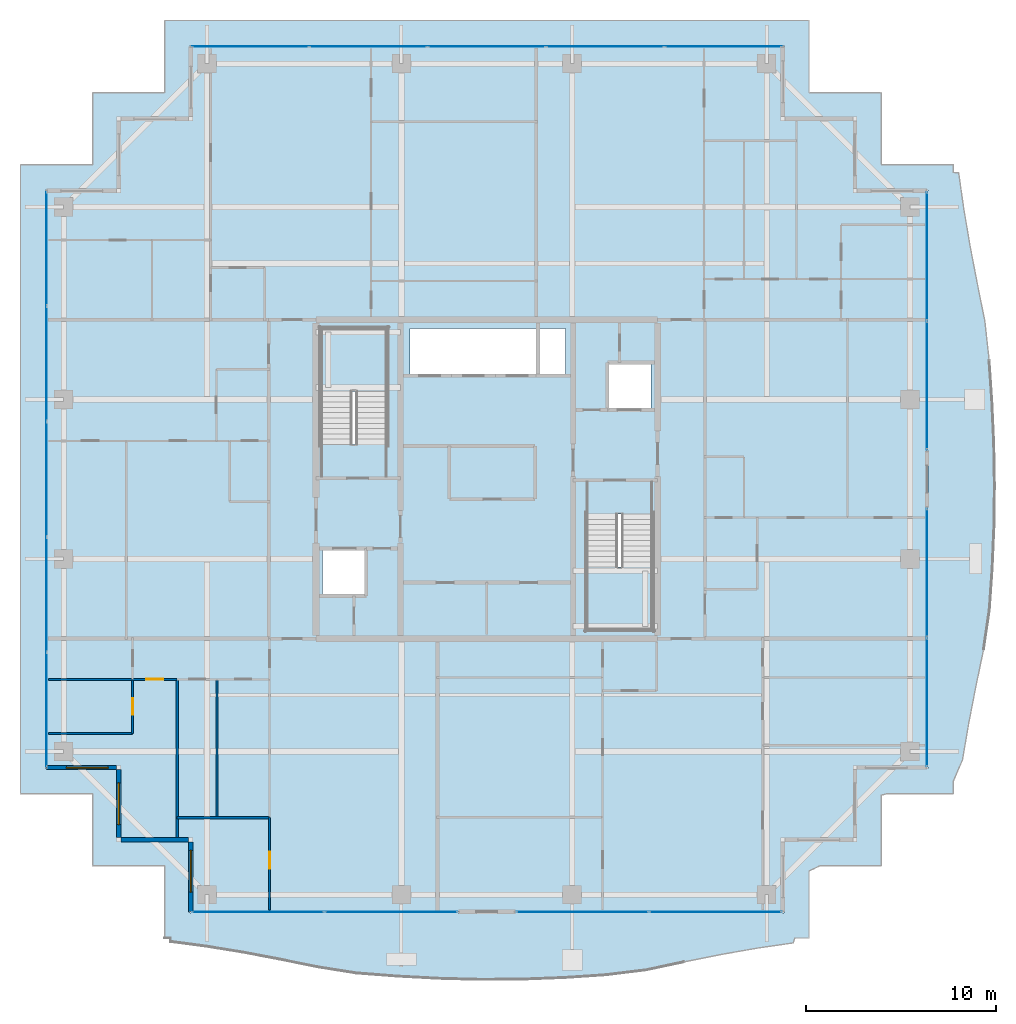
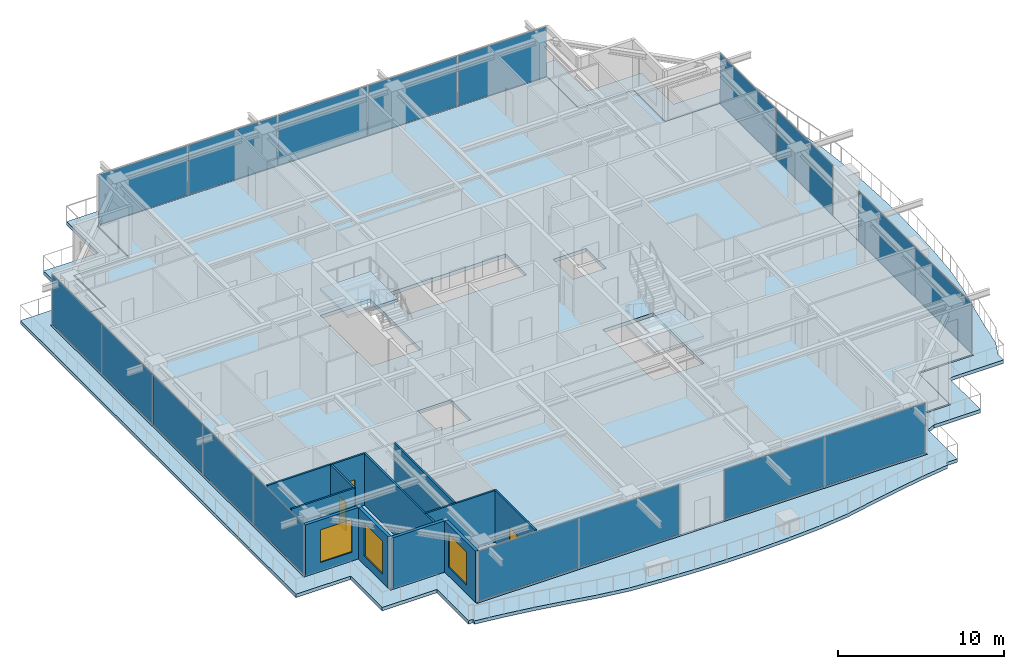
# One storey, part 30 of 42: 18 plates, 12 walls, 4 slabs, 3 doors, 3 windows, 6 openings, 8 elements without a shape of their own.
"""IFC4 building model written with IfcOpenShell, lengths in metres."""

from ifc_helpers import new_model, si_unit, direction, frame, frame_2d, origin, origin_2d, place, context, subcontext, project, spatial, polyline, rectangle, outline, extrude, source, transform, mapped, material, layer, layer_set, type_object, element, fill, aggregate, save


model = new_model("IFC4")

# Units and contexts
model_context = context("Model", 3, precision=1e-05, world=origin(), true_north=direction((0.0, 1.0)))
body_context = subcontext(model_context, "Body", "Model", "MODEL_VIEW")
ifc_project = project(units=[si_unit("LENGTHUNIT", "METRE"), si_unit("AREAUNIT", "SQUARE_METRE"), si_unit("VOLUMEUNIT", "CUBIC_METRE"), si_unit("PLANEANGLEUNIT", "RADIAN"), si_unit("MASSUNIT", "GRAM", prefix="KILO")], contexts=[model_context])

# Site, building, storey
site_placement = place(None, origin())
site = spatial("IfcSite", under=ifc_project, at=site_placement, CompositionType="ELEMENT")
building_placement = place(site_placement, origin())
building = spatial("IfcBuilding", under=site, at=building_placement, Name="Serunith Strait Residences", CompositionType="ELEMENT")
storey_placement = place(building_placement, frame((0.0, 0.0, 297.5)))
storey = spatial("IfcBuildingStorey", under=building, at=storey_placement, Name="L74", CompositionType="ELEMENT", Elevation=297.5)

# Slab
ifc_material_1 = material(Name="Concrete C50/60", Category="concrete")
ifc_layer_1 = layer(ifc_material_1, 0.239990234375, Name="Concrete C50/60")
ifc_layer_set_1 = layer_set([ifc_layer_1], Name="Concrete C50/60")
slab_type_1 = type_object("IfcSlabType", Name="SLB-BALC-240", PredefinedType="FLOOR", material=ifc_layer_set_1)
slab_1_placement = place(storey_placement, frame((0.0, 0.0, -0.2900390625)))
element("IfcSlab", 1, at=slab_1_placement, inside=storey, type_object=slab_type_1, Name="L74 Planted Vertical-Forest Balcony Slab", PredefinedType="FLOOR", context=body_context, shape_type="SweptSolid", body=[
    extrude(outline(polyline([(15.419921875, 1.02001953125), (15.419921875, 4.820068359375), (11.6201171875, 4.820068359375), (11.6201171875, 8.6201171875), (7.820068359375, 8.6201171875), (7.820068359375, 41.780029296875), (11.6201171875, 41.780029296875), (11.6201171875, 45.580078125), (15.407470703125, 45.580078125), (15.419921875, 45.584716796875), (15.419921875, 49.3798828125), (49.3798828125, 49.3798828125), (49.3798828125, 45.580078125), (53.179931640625, 45.580078125), (53.179931640625, 41.921142578125), (53.201171875, 41.780029296875), (56.97998046875, 41.780029296875), (56.97998046875, 41.367919921875), (57.2685546875, 41.350341796875), (57.53759765625, 39.4482421875), (57.862548828125, 37.52880859375), (58.2373046875, 35.57568359375), (58.64208984375, 33.5703125), (58.87841796875, 31.458251953125), (59.02587890625, 29.293212890625), (59.125, 27.1005859375), (59.163330078125, 24.892333984375), (59.134765625, 22.68408203125), (59.040771484375, 20.491943359375), (58.89111328125, 18.329833984375), (58.584228515625, 16.24609375), (58.17138671875, 14.25830078125), (57.794189453125, 12.3203125), (57.4716796875, 10.41259765625), (56.97998046875, 9.27587890625), (56.97998046875, 8.6201171875), (53.48193359375, 8.6201171875), (53.179931640625, 8.544677734375), (53.179931640625, 4.820068359375), (49.9423828125, 4.820068359375), (49.3798828125, 4.554931640625), (49.3798828125, 1.02001953125), (48.63330078125, 1.02001953125), (48.548583984375, 0.7626953125), (46.653076171875, 0.4873046875), (44.741455078125, 0.15087890625), (42.795654296875, -0.240478515625), (40.794677734375, -0.664794921875), (38.682861328125, -0.924560546875), (36.509521484375, -1.069580078125), (34.30712890625, -1.154296875), (32.091552734375, -1.16943359375), (29.880126953125, -1.1142578125), (27.689208984375, -0.996826171875), (25.530517578125, -0.83154296875), (23.455810546875, -0.50537109375), (21.47119140625, -0.09716796875), (19.533935546875, 0.26953125), (17.624267578125, 0.57958984375), (15.7265625, 0.831298828125), (15.72802734375, 1.02001953125), (15.419921875, 1.02001953125)]), holes=[polyline([(48.054931640625, 2.344970703125), (48.054931640625, 6.14501953125), (51.85498046875, 6.14501953125), (51.85498046875, 9.945068359375), (55.655029296875, 9.945068359375), (55.655029296875, 40.455078125), (51.85498046875, 40.455078125), (51.85498046875, 44.2548828125), (48.054931640625, 44.2548828125), (48.054931640625, 48.054931640625), (16.7451171875, 48.054931640625), (16.7451171875, 44.2548828125), (12.945068359375, 44.2548828125), (12.945068359375, 40.455078125), (9.14501953125, 40.455078125), (9.14501953125, 9.945068359375), (12.945068359375, 9.945068359375), (12.945068359375, 6.14501953125), (16.7451171875, 6.14501953125), (16.7451171875, 2.344970703125), (48.054931640625, 2.344970703125)])]), origin(), (0.0, 0.0, 1.0), 0.239990234375),
])

# Stair, slab
stair_type_1 = type_object("IfcStairType", Name="STR-CORE-1", PredefinedType="HALF_TURN_STAIR", material=ifc_material_1)
stair_1_placement = place(storey_placement, origin())
stair_1 = element("IfcStair", 2, at=stair_1_placement, inside=storey, type_object=stair_type_1, Name="L74 Protected Escape Stair ST-1", PredefinedType="HALF_TURN_STAIR")
ifc_layer_2 = layer(ifc_material_1, 0.199951171875, Name="Concrete C50/60")
ifc_layer_set_2 = layer_set([ifc_layer_2], Name="Concrete C50/60")
slab_type_2 = type_object("IfcSlabType", Name="SLB-LAND-200", PredefinedType="LANDING", material=ifc_layer_set_2)
slab_2_placement = place(storey_placement, frame((0.0, 0.0, 1.824951171875)))
slab_2 = element("IfcSlab", 3, at=slab_2_placement, type_object=slab_type_2, Name="ST-1 landing 1", PredefinedType="LANDING", context=body_context, shape_type="SweptSolid", body=[
    extrude(outline(polyline([(27.14990234375, 29.830078125), (27.14990234375, 33.14990234375), (23.64990234375, 33.14990234375), (23.64990234375, 29.830078125), (27.14990234375, 29.830078125)])), origin(), (0.0, 0.0, 1.0), 0.199951171875),
])
aggregate(stair_1, [slab_2])

stair_type_2 = type_object("IfcStairType", Name="STR-CORE-2", PredefinedType="HALF_TURN_STAIR", material=ifc_material_1)
stair_2_placement = place(storey_placement, origin())
stair_2 = element("IfcStair", 4, at=stair_2_placement, inside=storey, type_object=stair_type_2, Name="L74 Protected Escape Stair ST-2", PredefinedType="HALF_TURN_STAIR")
slab_3_placement = place(storey_placement, frame((0.0, 0.0, 1.824951171875)))
slab_3 = element("IfcSlab", 5, at=slab_3_placement, type_object=slab_type_2, Name="ST-2 landing 1", PredefinedType="LANDING", context=body_context, shape_type="SweptSolid", body=[
    extrude(outline(polyline([(37.64990234375, 20.570068359375), (37.64990234375, 17.25), (41.14990234375, 17.25), (41.14990234375, 20.570068359375), (37.64990234375, 20.570068359375)])), origin(), (0.0, 0.0, 1.0), 0.199951171875),
])
aggregate(stair_2, [slab_3])

# Slab
ifc_material_2 = material(Name="Concrete C60/75", Category="concrete")
ifc_layer_3 = layer(ifc_material_2, 0.260009765625, Name="Concrete C60/75")
ifc_layer_set_3 = layer_set([ifc_layer_3], Name="Concrete C60/75")
slab_type_3 = type_object("IfcSlabType", Name="SLB-TWR-290-Z4", PredefinedType="FLOOR", material=ifc_layer_set_3)
slab_4_placement = place(storey_placement, frame((0.0, 0.0, -0.260009765625)))
element("IfcSlab", 6, at=slab_4_placement, inside=storey, type_object=slab_type_3, Name="L74 Structural Floor Plate", PredefinedType="FLOOR", context=body_context, shape_type="SweptSolid", body=[
    extrude(outline(polyline([(16.800048828125, 6.199951171875), (13.0, 6.199951171875), (13.0, 10.0), (9.199951171875, 10.0), (9.199951171875, 40.39990234375), (13.0, 40.39990234375), (13.0, 44.199951171875), (16.800048828125, 44.199951171875), (16.800048828125, 48.0), (48.0, 48.0), (48.0, 44.199951171875), (51.800048828125, 44.199951171875), (51.800048828125, 40.39990234375), (55.60009765625, 40.39990234375), (55.60009765625, 10.0), (51.800048828125, 10.0), (51.800048828125, 6.199951171875), (48.0, 6.199951171875), (48.0, 2.39990234375), (16.800048828125, 2.39990234375), (16.800048828125, 6.199951171875)]), holes=[polyline([(41.14990234375, 23.3701171875), (37.64990234375, 23.3701171875), (37.64990234375, 17.25), (41.14990234375, 17.25), (41.14990234375, 23.3701171875)]), polyline([(38.75, 31.25), (38.75, 28.85009765625), (41.050048828125, 28.85009765625), (41.050048828125, 31.25), (38.75, 31.25)]), polyline([(36.550048828125, 33.14990234375), (28.35009765625, 33.14990234375), (28.35009765625, 30.64990234375), (36.550048828125, 30.64990234375), (36.550048828125, 33.14990234375)]), polyline([(23.64990234375, 33.14990234375), (23.64990234375, 27.030029296875), (27.14990234375, 27.030029296875), (27.14990234375, 33.14990234375), (23.64990234375, 33.14990234375)]), polyline([(23.75, 21.550048828125), (23.75, 19.14990234375), (26.050048828125, 19.14990234375), (26.050048828125, 21.550048828125), (23.75, 21.550048828125)])]), origin(), (0.0, 0.0, 1.0), 0.260009765625),
])

# Curtain wall, plates
ifc_material_3 = material(Name="Brushed Stainless-Silver Aluminium", Category="aluminium")
ifc_layer_4 = layer(ifc_material_3, 0.199951171875, Name="Brushed Stainless-Silver Aluminium")
ifc_layer_set_4 = layer_set([ifc_layer_4], Name="Brushed Stainless-Silver Aluminium")
curtain_wall_type = type_object("IfcCurtainWallType", Name="CW-SYS5", PredefinedType="NOTDEFINED", material=ifc_layer_set_4)
curtain_wall_1_placement = place(storey_placement, origin())
curtain_wall_1 = element("IfcCurtainWall", 7, at=curtain_wall_1_placement, inside=storey, type_object=curtain_wall_type, Name="L74 S Unitised Fritted Curtain Wall", PredefinedType="NOTDEFINED")
ifc_material_4 = material(Name="Triple-Silver Low-E Operable Glazing 34mm", Category="glass")
ifc_layer_5 = layer(ifc_material_4, 0.033935546875, Name="Triple-Silver Low-E Operable Glazing 34mm")
ifc_layer_set_5 = layer_set([ifc_layer_5], Name="Triple-Silver Low-E Operable Glazing 34mm")
plate_type = type_object("IfcPlateType", Name="CW-SYS5-PNL", PredefinedType="CURTAIN_PANEL", material=ifc_layer_set_5)
shared_shape_1 = source(origin(), body_context, "Body", "SweptSolid", [
    extrude(rectangle(XDim=6.952392578125, YDim=0.033935546875, at=origin_2d()), origin(), (0.0, 0.0, 1.0), 3.655029296875),
])
plate_1_placement = place(storey_placement, frame((20.34130859375, 2.39990234375, 0.06005859375), z_axis=(0.0, 0.0, 1.0), x_axis=(1.0, 0.0, 0.0)))
plate_1 = element("IfcPlate", 8, at=plate_1_placement, type_object=plate_type, Name="CW-5 panel 1.1", PredefinedType="CURTAIN_PANEL", context=body_context, shape_type="MappedRepresentation", body=[
    mapped(shared_shape_1, transform((0.0, 0.0, 0.0), scale=1.0)),
])
plate_2_placement = place(storey_placement, frame((27.358642578125, 2.39990234375, 0.06005859375), z_axis=(0.0, 0.0, 1.0), x_axis=(1.0, 0.0, 0.0)))
plate_2 = element("IfcPlate", 9, at=plate_2_placement, type_object=plate_type, Name="CW-5 panel 2.1", PredefinedType="CURTAIN_PANEL", context=body_context, shape_type="MappedRepresentation", body=[
    mapped(shared_shape_1, transform((0.0, 0.0, 0.0), scale=1.0)),
])
aggregate(curtain_wall_1, [plate_1, plate_2])

curtain_wall_2_placement = place(storey_placement, origin())
curtain_wall_2 = element("IfcCurtainWall", 10, at=curtain_wall_2_placement, inside=storey, type_object=curtain_wall_type, Name="L74 S Unitised Fritted Curtain Wall", PredefinedType="NOTDEFINED")
plate_3_placement = place(storey_placement, frame((37.441162109375, 2.39990234375, 0.06005859375), z_axis=(0.0, 0.0, 1.0), x_axis=(1.0, 0.0, 0.0)))
plate_3 = element("IfcPlate", 11, at=plate_3_placement, type_object=plate_type, Name="CW-5 panel 1.1", PredefinedType="CURTAIN_PANEL", context=body_context, shape_type="MappedRepresentation", body=[
    mapped(shared_shape_1, transform((0.0, 0.0, 0.0), scale=1.0)),
])
plate_4_placement = place(storey_placement, frame((44.458740234375, 2.39990234375, 0.06005859375), z_axis=(0.0, 0.0, 1.0), x_axis=(1.0, 0.0, 0.0)))
plate_4 = element("IfcPlate", 12, at=plate_4_placement, type_object=plate_type, Name="CW-5 panel 2.1", PredefinedType="CURTAIN_PANEL", context=body_context, shape_type="MappedRepresentation", body=[
    mapped(shared_shape_1, transform((0.0, 0.0, 0.0), scale=1.0)),
])
aggregate(curtain_wall_2, [plate_3, plate_4])

curtain_wall_3_placement = place(storey_placement, origin())
curtain_wall_3 = element("IfcCurtainWall", 13, at=curtain_wall_3_placement, inside=storey, type_object=curtain_wall_type, Name="L74 E Unitised Fritted Curtain Wall", PredefinedType="NOTDEFINED")
shared_shape_2 = source(origin(), body_context, "Body", "SweptSolid", [
    extrude(rectangle(XDim=6.75244140625, YDim=0.033935546875, at=origin_2d()), origin(), (0.0, 0.0, 1.0), 3.655029296875),
])
plate_5_placement = place(storey_placement, frame((55.60009765625, 13.441162109375, 0.06005859375), z_axis=(0.0, 0.0, 1.0), x_axis=(0.0, 1.0, 0.0)))
plate_5 = element("IfcPlate", 14, at=plate_5_placement, type_object=plate_type, Name="CW-5 panel 1.1", PredefinedType="CURTAIN_PANEL", context=body_context, shape_type="MappedRepresentation", body=[
    mapped(shared_shape_2, transform((0.0, 0.0, 0.0), scale=1.0)),
])
plate_6_placement = place(storey_placement, frame((55.60009765625, 20.2587890625, 0.06005859375), z_axis=(0.0, 0.0, 1.0), x_axis=(0.0, 1.0, 0.0)))
plate_6 = element("IfcPlate", 15, at=plate_6_placement, type_object=plate_type, Name="CW-5 panel 2.1", PredefinedType="CURTAIN_PANEL", context=body_context, shape_type="MappedRepresentation", body=[
    mapped(shared_shape_2, transform((0.0, 0.0, 0.0), scale=1.0)),
])
aggregate(curtain_wall_3, [plate_5, plate_6])

curtain_wall_4_placement = place(storey_placement, origin())
curtain_wall_4 = element("IfcCurtainWall", 16, at=curtain_wall_4_placement, inside=storey, type_object=curtain_wall_type, Name="L74 E Unitised Fritted Curtain Wall", PredefinedType="NOTDEFINED")
plate_7_placement = place(storey_placement, frame((55.60009765625, 30.141357421875, 0.06005859375), z_axis=(0.0, 0.0, 1.0), x_axis=(0.0, 1.0, 0.0)))
plate_7 = element("IfcPlate", 17, at=plate_7_placement, type_object=plate_type, Name="CW-5 panel 1.1", PredefinedType="CURTAIN_PANEL", context=body_context, shape_type="MappedRepresentation", body=[
    mapped(shared_shape_2, transform((0.0, 0.0, 0.0), scale=1.0)),
])
plate_8_placement = place(storey_placement, frame((55.60009765625, 36.958740234375, 0.06005859375), z_axis=(0.0, 0.0, 1.0), x_axis=(0.0, 1.0, 0.0)))
plate_8 = element("IfcPlate", 18, at=plate_8_placement, type_object=plate_type, Name="CW-5 panel 2.1", PredefinedType="CURTAIN_PANEL", context=body_context, shape_type="MappedRepresentation", body=[
    mapped(shared_shape_2, transform((0.0, 0.0, 0.0), scale=1.0)),
])
aggregate(curtain_wall_4, [plate_7, plate_8])

curtain_wall_5_placement = place(storey_placement, origin())
curtain_wall_5 = element("IfcCurtainWall", 19, at=curtain_wall_5_placement, inside=storey, type_object=curtain_wall_type, Name="L74 N Unitised Fritted Curtain Wall", PredefinedType="NOTDEFINED")
shared_shape_3 = source(origin(), body_context, "Body", "SweptSolid", [
    extrude(rectangle(XDim=6.142578125, YDim=0.033935546875, at=origin_2d()), origin(), (0.0, 0.0, 1.0), 3.655029296875),
])
plate_9_placement = place(storey_placement, frame((44.86376953125, 48.0, 0.06005859375), z_axis=(0.0, 0.0, 1.0), x_axis=(-1.0, 0.0, 0.0)))
plate_9 = element("IfcPlate", 20, at=plate_9_placement, type_object=plate_type, Name="CW-5 panel 1.1", PredefinedType="CURTAIN_PANEL", context=body_context, shape_type="MappedRepresentation", body=[
    mapped(shared_shape_3, transform((0.0, 0.0, 0.0), scale=1.0)),
])
plate_10_placement = place(storey_placement, frame((19.936279296875, 48.0, 0.06005859375), z_axis=(0.0, 0.0, 1.0), x_axis=(-1.0, 0.0, 0.0)))
plate_10 = element("IfcPlate", 21, at=plate_10_placement, type_object=plate_type, Name="CW-5 panel 5.1", PredefinedType="CURTAIN_PANEL", context=body_context, shape_type="MappedRepresentation", body=[
    mapped(shared_shape_3, transform((0.0, 0.0, 0.0), scale=1.0)),
])
shared_shape_4 = source(origin(), body_context, "Body", "SweptSolid", [
    extrude(rectangle(XDim=6.175048828125, YDim=0.033935546875, at=origin_2d()), origin(), (0.0, 0.0, 1.0), 3.655029296875),
])
plate_11_placement = place(storey_placement, frame((38.639892578125, 48.0, 0.06005859375), z_axis=(0.0, 0.0, 1.0), x_axis=(-1.0, 0.0, 0.0)))
plate_11 = element("IfcPlate", 22, at=plate_11_placement, type_object=plate_type, Name="CW-5 panel 2.1", PredefinedType="CURTAIN_PANEL", context=body_context, shape_type="MappedRepresentation", body=[
    mapped(shared_shape_4, transform((0.0, 0.0, 0.0), scale=1.0)),
])
plate_12_placement = place(storey_placement, frame((32.39990234375, 48.0, 0.06005859375), z_axis=(0.0, 0.0, 1.0), x_axis=(-1.0, 0.0, 0.0)))
plate_12 = element("IfcPlate", 23, at=plate_12_placement, type_object=plate_type, Name="CW-5 panel 3.1", PredefinedType="CURTAIN_PANEL", context=body_context, shape_type="MappedRepresentation", body=[
    mapped(shared_shape_4, transform((0.0, 0.0, 0.0), scale=1.0)),
])
plate_13_placement = place(storey_placement, frame((26.159912109375, 48.0, 0.06005859375), z_axis=(0.0, 0.0, 1.0), x_axis=(-1.0, 0.0, 0.0)))
plate_13 = element("IfcPlate", 24, at=plate_13_placement, type_object=plate_type, Name="CW-5 panel 4.1", PredefinedType="CURTAIN_PANEL", context=body_context, shape_type="MappedRepresentation", body=[
    mapped(shared_shape_4, transform((0.0, 0.0, 0.0), scale=1.0)),
])
aggregate(curtain_wall_5, [plate_9, plate_11, plate_12, plate_13, plate_10])

curtain_wall_6_placement = place(storey_placement, origin())
curtain_wall_6 = element("IfcCurtainWall", 25, at=curtain_wall_6_placement, inside=storey, type_object=curtain_wall_type, Name="L74 W Unitised Fritted Curtain Wall", PredefinedType="NOTDEFINED")
shared_shape_5 = source(origin(), body_context, "Body", "SweptSolid", [
    extrude(rectangle(XDim=5.982421875, YDim=0.033935546875, at=origin_2d()), origin(), (0.0, 0.0, 1.0), 3.655029296875),
])
plate_14_placement = place(storey_placement, frame((9.199951171875, 37.34375, 0.06005859375), z_axis=(0.0, 0.0, 1.0), x_axis=(0.0, -1.0, 0.0)))
plate_14 = element("IfcPlate", 26, at=plate_14_placement, type_object=plate_type, Name="CW-5 panel 1.1", PredefinedType="CURTAIN_PANEL", context=body_context, shape_type="MappedRepresentation", body=[
    mapped(shared_shape_5, transform((0.0, 0.0, 0.0), scale=1.0)),
])
plate_15_placement = place(storey_placement, frame((9.199951171875, 13.05615234375, 0.06005859375), z_axis=(0.0, 0.0, 1.0), x_axis=(0.0, -1.0, 0.0)))
plate_15 = element("IfcPlate", 27, at=plate_15_placement, type_object=plate_type, Name="CW-5 panel 5.1", PredefinedType="CURTAIN_PANEL", context=body_context, shape_type="MappedRepresentation", body=[
    mapped(shared_shape_5, transform((0.0, 0.0, 0.0), scale=1.0)),
])
shared_shape_6 = source(origin(), body_context, "Body", "SweptSolid", [
    extrude(rectangle(XDim=6.014892578125, YDim=0.033935546875, at=origin_2d()), origin(), (0.0, 0.0, 1.0), 3.655029296875),
])
plate_16_placement = place(storey_placement, frame((9.199951171875, 31.280029296875, 0.06005859375), z_axis=(0.0, 0.0, 1.0), x_axis=(0.0, -1.0, 0.0)))
plate_16 = element("IfcPlate", 28, at=plate_16_placement, type_object=plate_type, Name="CW-5 panel 2.1", PredefinedType="CURTAIN_PANEL", context=body_context, shape_type="MappedRepresentation", body=[
    mapped(shared_shape_6, transform((0.0, 0.0, 0.0), scale=1.0)),
])
plate_17_placement = place(storey_placement, frame((9.199951171875, 25.199951171875, 0.06005859375), z_axis=(0.0, 0.0, 1.0), x_axis=(0.0, -1.0, 0.0)))
plate_17 = element("IfcPlate", 29, at=plate_17_placement, type_object=plate_type, Name="CW-5 panel 3.1", PredefinedType="CURTAIN_PANEL", context=body_context, shape_type="MappedRepresentation", body=[
    mapped(shared_shape_6, transform((0.0, 0.0, 0.0), scale=1.0)),
])
plate_18_placement = place(storey_placement, frame((9.199951171875, 19.1201171875, 0.06005859375), z_axis=(0.0, 0.0, 1.0), x_axis=(0.0, -1.0, 0.0)))
plate_18 = element("IfcPlate", 30, at=plate_18_placement, type_object=plate_type, Name="CW-5 panel 4.1", PredefinedType="CURTAIN_PANEL", context=body_context, shape_type="MappedRepresentation", body=[
    mapped(shared_shape_6, transform((0.0, 0.0, 0.0), scale=1.0)),
])
aggregate(curtain_wall_6, [plate_14, plate_16, plate_17, plate_18, plate_15])

# Wall, opening, window
ifc_material_5 = material(Name="Pale-Champagne Aluminium Insulated Panel", Category="aluminium")
ifc_layer_6 = layer(ifc_material_5, 0.219970703125, Name="Pale-Champagne Aluminium Insulated Panel")
ifc_layer_set_6 = layer_set([ifc_layer_6], Name="Pale-Champagne Aluminium Insulated Panel")
wall_type_1 = type_object("IfcWallType", Name="EW-ALUM-220", PredefinedType="ELEMENTEDWALL", material=ifc_layer_set_6)
wall_1_placement = place(storey_placement, frame((9.199951171875, 10.0, 0.0), z_axis=(0.0, 0.0, 1.0), x_axis=(1.0, 0.0, 0.0)))
wall_1 = element("IfcWall", 31, at=wall_1_placement, inside=storey, type_object=wall_type_1, Name="L74 Girih Serrated Corner Wall 17", PredefinedType="ELEMENTEDWALL", context=body_context, shape_type="SweptSolid", body=[
    extrude(rectangle(XDim=3.68994140625, YDim=0.219970703125, at=frame_2d((1.844970703125, 0.0))), origin(), (0.0, 0.0, 1.0), 3.77490234375),
])
opening_1_placement = place(wall_1_placement, frame((1.04296875, 0.0, 0.64990234375)))
opening_1 = element("IfcOpeningElement", 32, at=opening_1_placement, cuts=wall_1, Name="Opening W-06", PredefinedType="OPENING", context=body_context, shape_type="SweptSolid", body=[
    extrude(rectangle(XDim=2.199951171875, YDim=2.39990234375, at=frame_2d((1.10009765625, 1.199951171875))), frame((0.0, 0.1201171875, 0.0), z_axis=(0.0, -1.0, 0.0), x_axis=(1.0, 0.0, 0.0)), (0.0, 0.0, 1.0), 0.239990234375),
])
ifc_material_6 = material(Name="Crown Penthouse Low-E Operable Window Glass", Category="glass")
window_type = type_object("IfcWindowType", Name="WIN-C6", PartitioningType="TRIPLE_PANEL_VERTICAL", PredefinedType="WINDOW", material=ifc_material_6)
shared_shape_7 = source(origin(), body_context, "Body", "SweptSolid", [
    extrude(rectangle(XDim=2.199951171875, YDim=2.39990234375, at=frame_2d((1.10009765625, 1.199951171875))), frame((0.0, 0.030029296875, 0.0), z_axis=(0.0, -1.0, 0.0), x_axis=(1.0, 0.0, 0.0)), (0.0, 0.0, 1.0), 0.06005859375),
])
window_1_placement = place(opening_1_placement, origin())
window_1 = element("IfcWindow", 33, at=window_1_placement, inside=storey, type_object=window_type, Name="L74 Corner Operable Fritted Window 17", OverallHeight=2.39990234375, OverallWidth=2.199951171875, PartitioningType="SINGLE_PANEL", PredefinedType="WINDOW", context=body_context, shape_type="MappedRepresentation", body=[
    mapped(shared_shape_7, transform((0.0, 0.0, 0.0), scale=1.0)),
])
fill(opening_1, window_1)

wall_2_placement = place(storey_placement, frame((13.0, 9.889892578125, 0.0), z_axis=(0.0, 0.0, 1.0), x_axis=(0.0, -1.0, 0.0)))
wall_2 = element("IfcWall", 34, at=wall_2_placement, inside=storey, type_object=wall_type_1, Name="L74 Girih Serrated Corner Wall 18", PredefinedType="ELEMENTEDWALL", context=body_context, shape_type="SweptSolid", body=[
    extrude(rectangle(XDim=3.579833984375, YDim=0.219970703125, at=frame_2d((1.7900390625, 0.0))), origin(), (0.0, 0.0, 1.0), 3.77490234375),
])
opening_2_placement = place(wall_2_placement, frame((0.68994140625, 0.0, 0.64990234375)))
opening_2 = element("IfcOpeningElement", 35, at=opening_2_placement, cuts=wall_2, Name="Opening W-06", PredefinedType="OPENING", context=body_context, shape_type="SweptSolid", body=[
    extrude(rectangle(XDim=2.199951171875, YDim=2.39990234375, at=frame_2d((1.10009765625, 1.199951171875))), frame((0.0, 0.1201171875, 0.0), z_axis=(0.0, -1.0, 0.0), x_axis=(1.0, 0.0, 0.0)), (0.0, 0.0, 1.0), 0.239990234375),
])
window_2_placement = place(opening_2_placement, origin())
window_2 = element("IfcWindow", 36, at=window_2_placement, inside=storey, type_object=window_type, Name="L74 Corner Operable Fritted Window 18", OverallHeight=2.39990234375, OverallWidth=2.199951171875, PartitioningType="SINGLE_PANEL", PredefinedType="WINDOW", context=body_context, shape_type="MappedRepresentation", body=[
    mapped(shared_shape_7, transform((0.0, 0.0, 0.0), scale=1.0)),
])
fill(opening_2, window_2)

# Wall
wall_3_placement = place(storey_placement, frame((13.110107421875, 6.199951171875, 0.0), z_axis=(0.0, 0.0, 1.0), x_axis=(1.0, 0.0, 0.0)))
element("IfcWall", 37, at=wall_3_placement, inside=storey, type_object=wall_type_1, Name="L74 Girih Serrated Corner Wall 19", PredefinedType="ELEMENTEDWALL", context=body_context, shape_type="SweptSolid", body=[
    extrude(rectangle(XDim=3.579833984375, YDim=0.219970703125, at=frame_2d((1.7900390625, 0.0))), origin(), (0.0, 0.0, 1.0), 3.77490234375),
])

# Wall, opening, window
wall_4_placement = place(storey_placement, frame((16.800048828125, 6.090087890625, 0.0), z_axis=(0.0, 0.0, 1.0), x_axis=(0.0, -1.0, 0.0)))
wall_4 = element("IfcWall", 38, at=wall_4_placement, inside=storey, type_object=wall_type_1, Name="L74 Girih Serrated Corner Wall 20", PredefinedType="ELEMENTEDWALL", context=body_context, shape_type="SweptSolid", body=[
    extrude(rectangle(XDim=3.690185546875, YDim=0.219970703125, at=frame_2d((1.84521484375, 0.0))), origin(), (0.0, 0.0, 1.0), 3.77490234375),
])
opening_3_placement = place(wall_4_placement, frame((0.447021484375, 0.0, 0.64990234375)))
opening_3 = element("IfcOpeningElement", 39, at=opening_3_placement, cuts=wall_4, Name="Opening W-06", PredefinedType="OPENING", context=body_context, shape_type="SweptSolid", body=[
    extrude(rectangle(XDim=2.199951171875, YDim=2.39990234375, at=frame_2d((1.10009765625, 1.199951171875))), frame((0.0, 0.1201171875, 0.0), z_axis=(0.0, -1.0, 0.0), x_axis=(1.0, 0.0, 0.0)), (0.0, 0.0, 1.0), 0.239990234375),
])
window_3_placement = place(opening_3_placement, origin())
window_3 = element("IfcWindow", 40, at=window_3_placement, inside=storey, type_object=window_type, Name="L74 Corner Operable Fritted Window 20", OverallHeight=2.39990234375, OverallWidth=2.199951171875, PartitioningType="SINGLE_PANEL", PredefinedType="WINDOW", context=body_context, shape_type="MappedRepresentation", body=[
    mapped(shared_shape_7, transform((0.0, 0.0, 0.0), scale=1.0)),
])
fill(opening_3, window_3)

# Wall, opening, door
ifc_material_7 = material(Name="Lightweight steel-stud gypsum partition", Category="steel")
ifc_layer_7 = layer(ifc_material_7, 0.1201171875, Name="Lightweight steel-stud gypsum partition")
ifc_layer_set_7 = layer_set([ifc_layer_7], Name="Lightweight steel-stud gypsum partition")
wall_type_2 = type_object("IfcWallType", Name="IW-PART-120", PredefinedType="PARTITIONING", material=ifc_layer_set_7)
wall_5_placement = place(storey_placement, frame((20.949951171875, 2.4951171875, 0.0), z_axis=(0.0, 0.0, 1.0), x_axis=(0.0, 1.0, 0.0)))
wall_5 = element("IfcWall", 41, at=wall_5_placement, inside=storey, type_object=wall_type_2, Name="L74 Partition Wall 033", PredefinedType="PARTITIONING", context=body_context, shape_type="SweptSolid", body=[
    extrude(rectangle(XDim=4.867919921875, YDim=0.1201171875, at=frame_2d((2.43408203125, 0.0))), origin(), (0.0, 0.0, 1.0), 3.7900390625),
])
opening_4_placement = place(wall_5_placement, frame((2.181884765625, 0.0, 0.0)))
opening_4 = element("IfcOpeningElement", 42, at=opening_4_placement, cuts=wall_5, Name="Opening D-RM900", PredefinedType="OPENING", context=body_context, shape_type="SweptSolid", body=[
    extrude(rectangle(XDim=0.89990234375, YDim=2.10009765625, at=frame_2d((0.449951171875, 1.050048828125))), frame((0.0, 0.070068359375, 0.0), z_axis=(0.0, -1.0, 0.0), x_axis=(1.0, 0.0, 0.0)), (0.0, 0.0, 1.0), 0.14013671875),
])
ifc_material_8 = material(Name="Engineered timber flush bedroom door", Category="wood")
door_type_1 = type_object("IfcDoorType", Name="ID-ROOM-900", OperationType="NOTDEFINED", PredefinedType="DOOR", material=ifc_material_8)
shared_shape_8 = source(origin(), body_context, "Body", "SweptSolid", [
    extrude(rectangle(XDim=0.89990234375, YDim=2.10009765625, at=frame_2d((0.449951171875, 1.050048828125))), frame((0.0, 0.02490234375, 0.0), z_axis=(0.0, -1.0, 0.0), x_axis=(1.0, 0.0, 0.0)), (0.0, 0.0, 1.0), 0.050048828125),
])
door_1_placement = place(opening_4_placement, origin())
door_1 = element("IfcDoor", 43, at=door_1_placement, inside=storey, type_object=door_type_1, Name="L74 Study 1 7401 Door", OperationType="SINGLE_SWING_LEFT", OverallHeight=2.10009765625, OverallWidth=0.89990234375, PredefinedType="DOOR", context=body_context, shape_type="MappedRepresentation", body=[
    mapped(shared_shape_8, transform((0.0, 0.0, 0.0), scale=1.0)),
])
fill(opening_4, door_1)

# Walls
wall_6_placement = place(storey_placement, frame((16.080078125, 7.363037109375, 0.0), z_axis=(0.0, 0.0, 1.0), x_axis=(1.0, 0.0, 0.0)))
element("IfcWall", 44, at=wall_6_placement, inside=storey, type_object=wall_type_2, Name="L74 Partition Wall 035", PredefinedType="PARTITIONING", context=body_context, shape_type="SweptSolid", body=[
    extrude(rectangle(XDim=4.869873046875, YDim=0.1201171875, at=frame_2d((2.43505859375, 0.0))), origin(), (0.0, 0.0, 1.0), 3.7900390625),
])
wall_7_placement = place(storey_placement, frame((16.080078125, 6.294921875, 0.0), z_axis=(0.0, 0.0, 1.0), x_axis=(0.0, 1.0, 0.0)))
element("IfcWall", 45, at=wall_7_placement, inside=storey, type_object=wall_type_2, Name="L74 Partition Wall 036", PredefinedType="PARTITIONING", context=body_context, shape_type="SweptSolid", body=[
    extrude(rectangle(XDim=8.35498046875, YDim=0.1201171875, at=frame_2d((4.177490234375, 0.0))), origin(), (0.0, 0.0, 1.0), 3.7900390625),
])
wall_8_placement = place(storey_placement, frame((18.179931640625, 7.363037109375, 0.0), z_axis=(0.0, 0.0, 1.0), x_axis=(0.0, 1.0, 0.0)))
element("IfcWall", 46, at=wall_8_placement, inside=storey, type_object=wall_type_2, Name="L74 Partition Wall 037", PredefinedType="PARTITIONING", context=body_context, shape_type="SweptSolid", body=[
    extrude(rectangle(XDim=7.286865234375, YDim=0.1201171875, at=frame_2d((3.6435546875, 0.0))), origin(), (0.0, 0.0, 1.0), 3.7900390625),
])

# Wall, opening, door
wall_9_placement = place(storey_placement, frame((13.72998046875, 14.64990234375, 0.0), z_axis=(0.0, 0.0, 1.0), x_axis=(1.0, 0.0, 0.0)))
wall_9 = element("IfcWall", 47, at=wall_9_placement, inside=storey, type_object=wall_type_2, Name="L74 Partition Wall 040", PredefinedType="PARTITIONING", context=body_context, shape_type="SweptSolid", body=[
    extrude(rectangle(XDim=2.347900390625, YDim=0.1201171875, at=frame_2d((1.173828125, 0.0))), origin(), (0.0, 0.0, 1.0), 3.7900390625),
])
opening_5_placement = place(wall_9_placement, frame((0.72412109375, 0.0, 0.0)))
opening_5 = element("IfcOpeningElement", 48, at=opening_5_placement, cuts=wall_9, Name="Opening D-RM900", PredefinedType="OPENING", context=body_context, shape_type="SweptSolid", body=[
    extrude(rectangle(XDim=0.89990234375, YDim=2.10009765625, at=frame_2d((0.449951171875, 1.050048828125))), frame((0.0, 0.070068359375, 0.0), z_axis=(0.0, -1.0, 0.0), x_axis=(1.0, 0.0, 0.0)), (0.0, 0.0, 1.0), 0.14013671875),
])
door_2_placement = place(opening_5_placement, origin())
door_2 = element("IfcDoor", 49, at=door_2_placement, inside=storey, type_object=door_type_1, Name="L74 Master Bedroom W 7401 Door", OperationType="SINGLE_SWING_RIGHT", OverallHeight=2.10009765625, OverallWidth=0.89990234375, PredefinedType="DOOR", context=body_context, shape_type="MappedRepresentation", body=[
    mapped(shared_shape_8, transform((0.0, 0.0, 0.0), scale=1.0)),
])
fill(opening_5, door_2)

# Walls
wall_10_placement = place(storey_placement, frame((9.294921875, 11.7939453125, 0.0), z_axis=(0.0, 0.0, 1.0), x_axis=(1.0, 0.0, 0.0)))
element("IfcWall", 50, at=wall_10_placement, inside=storey, type_object=wall_type_2, Name="L74 Partition Wall 041", PredefinedType="PARTITIONING", context=body_context, shape_type="SweptSolid", body=[
    extrude(rectangle(XDim=4.43505859375, YDim=0.1201171875, at=frame_2d((2.217529296875, 0.0))), origin(), (0.0, 0.0, 1.0), 3.7900390625),
])
wall_11_placement = place(storey_placement, frame((9.294921875, 14.64990234375, 0.0), z_axis=(0.0, 0.0, 1.0), x_axis=(1.0, 0.0, 0.0)))
element("IfcWall", 51, at=wall_11_placement, inside=storey, type_object=wall_type_2, Name="L74 Partition Wall 042", PredefinedType="PARTITIONING", context=body_context, shape_type="SweptSolid", body=[
    extrude(rectangle(XDim=4.43310546875, YDim=0.1201171875, at=frame_2d((2.216552734375, 0.0))), origin(), (0.0, 0.0, 1.0), 3.7900390625),
])

# Wall, opening, door
wall_12_placement = place(storey_placement, frame((13.72998046875, 11.7939453125, 0.0), z_axis=(0.0, 0.0, 1.0), x_axis=(0.0, 1.0, 0.0)))
wall_12 = element("IfcWall", 52, at=wall_12_placement, inside=storey, type_object=wall_type_2, Name="L74 Partition Wall 043", PredefinedType="PARTITIONING", context=body_context, shape_type="SweptSolid", body=[
    extrude(rectangle(XDim=2.85595703125, YDim=0.1201171875, at=frame_2d((1.427978515625, 0.0))), origin(), (0.0, 0.0, 1.0), 3.7900390625),
])
opening_6_placement = place(wall_12_placement, frame((1.0029296875, 0.0, 0.0)))
opening_6 = element("IfcOpeningElement", 53, at=opening_6_placement, cuts=wall_12, Name="Opening D-BTH850", PredefinedType="OPENING", context=body_context, shape_type="SweptSolid", body=[
    extrude(rectangle(XDim=0.85009765625, YDim=2.10009765625, at=frame_2d((0.425048828125, 1.050048828125))), frame((0.0, 0.070068359375, 0.0), z_axis=(0.0, -1.0, 0.0), x_axis=(1.0, 0.0, 0.0)), (0.0, 0.0, 1.0), 0.14013671875),
])
ifc_material_9 = material(Name="Moisture-resistant timber bathroom door", Category="wood")
door_type_2 = type_object("IfcDoorType", Name="ID-BATH-850", OperationType="NOTDEFINED", PredefinedType="DOOR", material=ifc_material_9)
shared_shape_9 = source(origin(), body_context, "Body", "SweptSolid", [
    extrude(rectangle(XDim=0.85009765625, YDim=2.10009765625, at=frame_2d((0.425048828125, 1.050048828125))), frame((0.0, 0.02490234375, 0.0), z_axis=(0.0, -1.0, 0.0), x_axis=(1.0, 0.0, 0.0)), (0.0, 0.0, 1.0), 0.050048828125),
])
door_3_placement = place(opening_6_placement, origin())
door_3 = element("IfcDoor", 54, at=door_3_placement, inside=storey, type_object=door_type_2, Name="L74 En-suite Bathroom W 7401 Door", OperationType="SINGLE_SWING_LEFT", OverallHeight=2.10009765625, OverallWidth=0.85009765625, PredefinedType="DOOR", context=body_context, shape_type="MappedRepresentation", body=[
    mapped(shared_shape_9, transform((0.0, 0.0, 0.0), scale=1.0)),
])
fill(opening_6, door_3)

save(model, "model.ifc")
